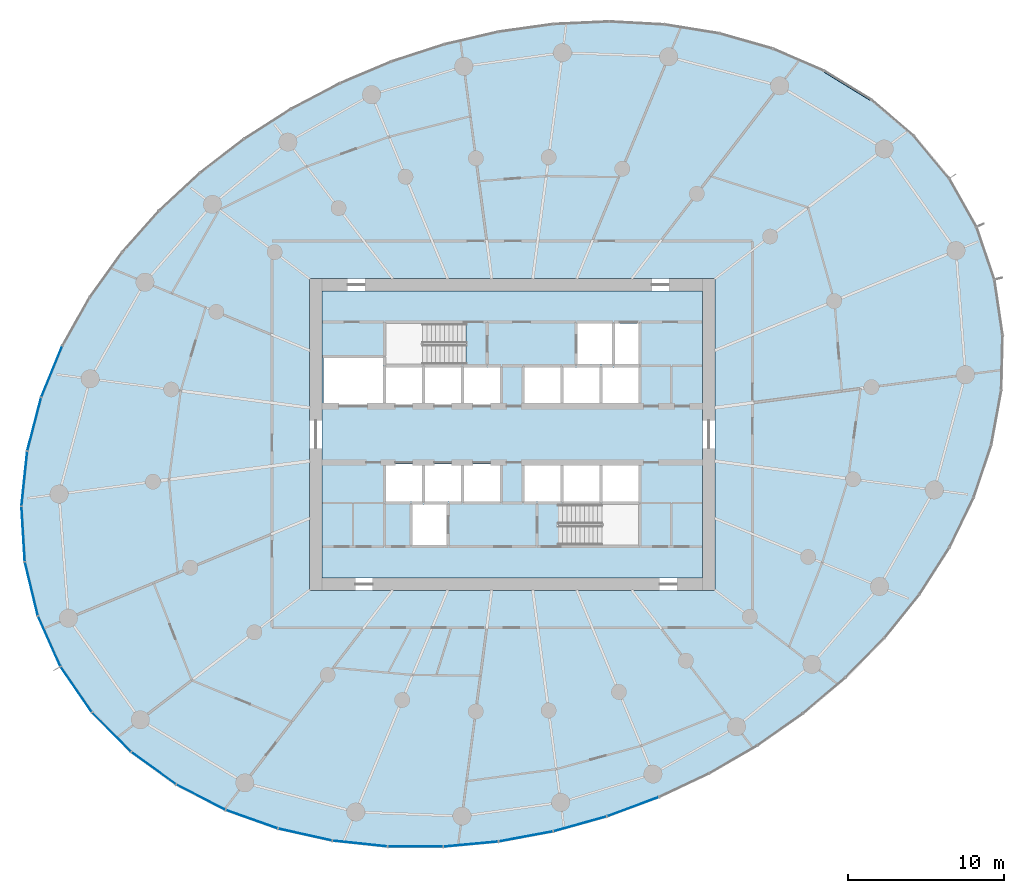
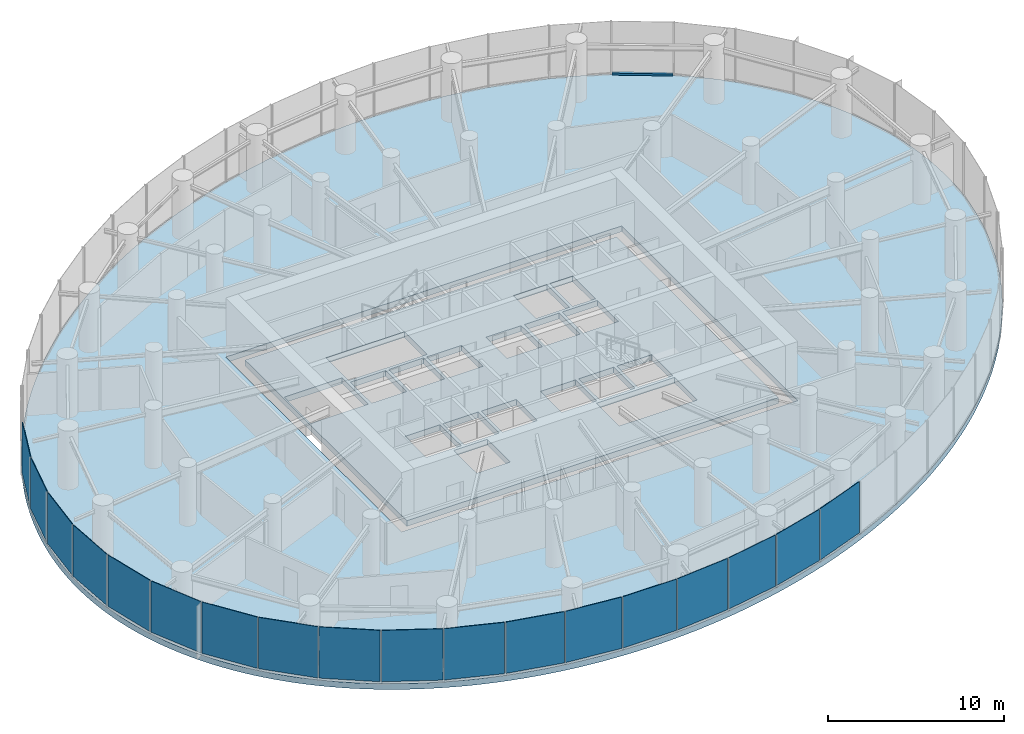
# One storey, part 8 of 17: 18 plates, 2 slabs, 1 member, 5 elements without a shape of their own.
"""IFC4 building model written with IfcOpenShell, lengths in metres."""

from ifc_helpers import new_model, si_unit, direction, frame, origin, origin_2d, place, context, subcontext, project, spatial, line, indexed_curve, rectangle, outline, extrude, source, transform, mapped, material, layer, layer_set, material_profile, profile_set, type_object, element, aggregate, save


model = new_model("IFC4")

# Units and contexts
model_context = context("Model", 3, precision=1e-05, world=origin(), true_north=direction((0.0, 1.0)))
body_context = subcontext(model_context, "Body", "Model", "MODEL_VIEW")
ifc_project = project(units=[si_unit("LENGTHUNIT", "METRE"), si_unit("AREAUNIT", "SQUARE_METRE"), si_unit("VOLUMEUNIT", "CUBIC_METRE"), si_unit("PLANEANGLEUNIT", "RADIAN"), si_unit("MASSUNIT", "GRAM", prefix="KILO")], contexts=[model_context])

# Site, building, storey
site_placement = place(None, origin())
site = spatial("IfcSite", under=ifc_project, at=site_placement, CompositionType="ELEMENT")
building_placement = place(site_placement, origin())
building = spatial("IfcBuilding", under=site, at=building_placement, Name="Spindrift Exchange Tower", CompositionType="ELEMENT")
storey_placement = place(building_placement, frame((0.0, 0.0, 92.10009765625)))
storey = spatial("IfcBuildingStorey", under=building, at=storey_placement, Name="L21", CompositionType="ELEMENT", Elevation=92.10009765625)

# Curtain wall, member
ifc_material_1 = material(Name="Fritted laminated glass with bronze frame", Category="glass")
ifc_layer_1 = layer(ifc_material_1, 0.18994140625)
ifc_layer_set_1 = layer_set([ifc_layer_1], Name="ZONE 2 BRONZE FRITTED WALL")
curtain_wall_type = type_object("IfcCurtainWallType", Name="ZONE 2 BRONZE FRITTED WALL", PredefinedType="NOTDEFINED", material=ifc_layer_set_1)
curtain_wall_1_placement = place(storey_placement, origin())
curtain_wall_1 = element("IfcCurtainWall", 1, at=curtain_wall_1_placement, inside=storey, type_object=curtain_wall_type, Name="L21 Zone 2 Bronze Fritted Wall run 1", PredefinedType="NOTDEFINED")
ifc_material_2 = material(Name="Bronze anodised aluminium", Category="aluminium")
ifc_material_profile = material_profile(ifc_material_2, rectangle(XDim=0.169921875, YDim=0.139892578125, at=origin_2d()), Name="ZONE 2 BRONZE FRITTED WALL TRANSOM 170X140")
ifc_profile_set = profile_set([ifc_material_profile], Name="Bronze anodised aluminium")
member_type = type_object("IfcMemberType", Name="ZONE 2 BRONZE FRITTED WALL TRANSOM 170X140", PredefinedType="USERDEFINED", material=ifc_profile_set)
shared_shape_1 = source(origin(), body_context, "Body", "SweptSolid", [
    extrude(rectangle(XDim=0.169921875, YDim=0.139892578125, at=origin_2d()), origin(), (0.0, 0.0, 1.0), 3.4892578125),
])
member_placement = place(storey_placement, frame((74.99951171875, 69.476318359375, 0.06982421875), z_axis=(-0.852577116823, 0.522601435006, 0.0), x_axis=(-0.522601435006, -0.852577116823, 0.0)))
member = element("IfcMember", 2, at=member_placement, type_object=member_type, Name="L21 transom CW-2.4", ObjectType="TRANSOM", PredefinedType="USERDEFINED", context=body_context, shape_type="MappedRepresentation", body=[
    mapped(shared_shape_1, transform((0.0, 0.0, 0.0), scale=1.0)),
])
aggregate(curtain_wall_1, [member])

# Slabs
ifc_material_3 = material(Name="Concrete 50 MPa", Category="concrete")
ifc_layer_2 = layer(ifc_material_3, 0.39990234375)
ifc_layer_set_2 = layer_set([ifc_layer_2], Name="RC Floor Slab 400 Concrete 50 MPa")
slab_type_1 = type_object("IfcSlabType", Name="RC Floor Slab 400 Concrete 50 MPa", PredefinedType="FLOOR", material=ifc_layer_set_2)
slab_1_placement = place(storey_placement, frame((0.0, 0.0, -0.400146484375)))
element("IfcSlab", 3, at=slab_1_placement, inside=storey, type_object=slab_type_1, Name="Floor slab L21", PredefinedType="FLOOR", context=body_context, shape_type="SweptSolid", body=[
    extrude(outline(indexed_curve([(81.76318359375, 61.294677734375), (81.551025390625, 61.75341796875), (81.326904296875, 62.20654296875), (81.091064453125, 62.653564453125), (80.843505859375, 63.09423828125), (80.584716796875, 63.5283203125), (80.314697265625, 63.95556640625), (80.03369140625, 64.37548828125), (79.7421875, 64.788330078125), (79.440185546875, 65.193603515625), (79.127685546875, 65.591064453125), (78.8056640625, 65.98046875), (78.473876953125, 66.36181640625), (78.1328125, 66.734619140625), (77.78271484375, 67.09912109375), (77.423828125, 67.455078125), (77.056396484375, 67.80224609375), (76.680908203125, 68.140625), (76.297607421875, 68.469970703125), (75.90673828125, 68.79052734375), (75.5087890625, 69.101806640625), (75.103759765625, 69.404296875), (74.692138671875, 69.697509765625), (74.27392578125, 69.9814453125), (73.849853515625, 70.25634765625), (73.419921875, 70.522216796875), (72.984619140625, 70.77880859375), (72.5439453125, 71.0263671875), (72.09814453125, 71.2646484375), (71.647705078125, 71.493896484375), (71.19287109375, 71.714111328125), (70.2705078125, 72.127685546875), (69.3330078125, 72.505615234375), (68.859130859375, 72.681396484375), (68.382080078125, 72.848388671875), (67.41943359375, 73.156494140625), (66.93408203125, 73.2978515625), (65.956787109375, 73.555419921875), (64.97119140625, 73.779541015625), (64.4755859375, 73.87939453125), (63.978515625, 73.971435546875), (62.98046875, 74.13134765625), (62.479736328125, 74.19970703125), (61.475341796875, 74.31298828125), (60.971923828125, 74.358154296875), (59.96337890625, 74.42626953125), (58.953369140625, 74.46484375), (58.447998046875, 74.47314453125), (57.43701171875, 74.46875), (56.931884765625, 74.4560546875), (56.4267578125, 74.436279296875), (55.417724609375, 74.376220703125), (54.913818359375, 74.336181640625), (53.908203125, 74.23583984375), (53.40625, 74.17578125), (52.405029296875, 74.036376953125), (51.906005859375, 73.95703125), (50.910888671875, 73.779296875), (49.92041015625, 73.576416015625), (49.42724609375, 73.4658203125), (48.935546875, 73.34912109375), (47.95654296875, 73.09765625), (47.469482421875, 72.962890625), (46.500244140625, 72.67578125), (46.018310546875, 72.523193359375), (45.060302734375, 72.201171875), (44.583984375, 72.031494140625), (43.63818359375, 71.675048828125), (42.701171875, 71.2958984375), (41.773193359375, 70.894775390625), (40.855224609375, 70.471435546875), (39.94775390625, 70.026611328125), (39.051025390625, 69.559814453125), (38.60693359375, 69.318603515625), (37.7275390625, 68.820068359375), (37.29248046875, 68.562744140625), (36.431884765625, 68.03271484375), (36.006591796875, 67.759765625), (35.58447265625, 67.481689453125), (34.750732421875, 66.91015625), (33.931396484375, 66.318115234375), (33.52734375, 66.014404296875), (33.127197265625, 65.70556640625), (32.338623046875, 65.072998046875), (31.95068359375, 64.749267578125), (31.18701171875, 64.0869140625), (30.81201171875, 63.748291015625), (30.0751953125, 63.05615234375), (29.35693359375, 62.3447265625), (29.00537109375, 61.981689453125), (28.317138671875, 61.241455078125), (27.980712890625, 60.864013671875), (27.64990234375, 60.482177734375), (27.004638671875, 59.7041015625), (26.382080078125, 58.907470703125), (26.080078125, 58.50244140625), (25.494140625, 57.6787109375), (25.210693359375, 57.26025390625), (24.663818359375, 56.41015625), (24.400390625, 55.978759765625), (23.895263671875, 55.103271484375), (23.653564453125, 54.6591796875), (23.193115234375, 53.759521484375), (22.974609375, 53.3037109375), (22.5615234375, 52.381103515625), (22.36767578125, 51.914306640625), (22.182373046875, 51.444091796875), (21.838134765625, 50.49365234375), (21.530517578125, 49.531005859375), (21.26123046875, 48.556640625), (21.141357421875, 48.065673828125), (21.031494140625, 47.572265625), (20.93212890625, 47.07666015625), (20.843017578125, 46.5791015625), (20.764892578125, 46.079833984375), (20.697509765625, 45.5791015625), (20.64111328125, 45.07666015625), (20.595947265625, 44.5732421875), (20.562255859375, 44.069091796875), (20.5400390625, 43.564208984375), (20.52978515625, 43.058837890625), (20.531005859375, 42.553466796875), (20.544677734375, 42.048095703125), (20.570068359375, 41.54345703125), (20.60791015625, 41.039306640625), (20.658203125, 40.536376953125), (20.720703125, 40.034912109375), (20.795654296875, 39.53515625), (20.88330078125, 39.037353515625), (20.9833984375, 38.5419921875), (21.09619140625, 38.04931640625), (21.2216796875, 37.559814453125), (21.359619140625, 37.073486328125), (21.51025390625, 36.591064453125), (21.67333984375, 36.112548828125), (21.848876953125, 35.638671875), (22.03662109375, 35.16943359375), (22.23681640625, 34.705322265625), (22.448974609375, 34.24658203125), (22.673095703125, 33.79345703125), (22.908935546875, 33.346435546875), (23.156494140625, 32.90576171875), (23.415283203125, 32.4716796875), (23.685302734375, 32.04443359375), (23.96630859375, 31.62451171875), (24.2578125, 31.211669921875), (24.559814453125, 30.806396484375), (24.872314453125, 30.408935546875), (25.1943359375, 30.01953125), (25.526123046875, 29.63818359375), (25.8671875, 29.265380859375), (26.21728515625, 28.90087890625), (26.576171875, 28.544921875), (26.943603515625, 28.19775390625), (27.319091796875, 27.859375), (27.702392578125, 27.530029296875), (28.09326171875, 27.20947265625), (28.4912109375, 26.898193359375), (28.896240234375, 26.595703125), (29.307861328125, 26.302490234375), (29.72607421875, 26.0185546875), (30.150146484375, 25.74365234375), (30.580078125, 25.477783203125), (31.015380859375, 25.22119140625), (31.4560546875, 24.9736328125), (31.90185546875, 24.7353515625), (32.352294921875, 24.506103515625), (32.80712890625, 24.285888671875), (33.7294921875, 23.872314453125), (34.6669921875, 23.494384765625), (35.140869140625, 23.318603515625), (35.617919921875, 23.151611328125), (36.58056640625, 22.843505859375), (37.06591796875, 22.7021484375), (38.043212890625, 22.444580078125), (39.02880859375, 22.220458984375), (39.5244140625, 22.12060546875), (40.021484375, 22.028564453125), (41.01953125, 21.86865234375), (41.520263671875, 21.80029296875), (42.524658203125, 21.68701171875), (43.028076171875, 21.641845703125), (44.03662109375, 21.57373046875), (45.046630859375, 21.53515625), (45.552001953125, 21.52685546875), (46.56298828125, 21.53125), (47.068115234375, 21.5439453125), (47.5732421875, 21.563720703125), (48.582275390625, 21.623779296875), (49.086181640625, 21.663818359375), (50.091796875, 21.76416015625), (50.59375, 21.82421875), (51.594970703125, 21.963623046875), (52.093994140625, 22.04296875), (53.089111328125, 22.220703125), (54.07958984375, 22.423583984375), (54.57275390625, 22.5341796875), (55.064453125, 22.65087890625), (56.04345703125, 22.90234375), (56.530517578125, 23.037109375), (57.499755859375, 23.32421875), (58.461669921875, 23.635009765625), (58.939697265625, 23.798828125), (59.416015625, 23.968505859375), (60.36181640625, 24.324951171875), (61.298828125, 24.7041015625), (62.226806640625, 25.105224609375), (63.144775390625, 25.528564453125), (64.05224609375, 25.973388671875), (64.948974609375, 26.440185546875), (65.39306640625, 26.681396484375), (66.2724609375, 27.179931640625), (66.70751953125, 27.437255859375), (67.568115234375, 27.96728515625), (67.993408203125, 28.240234375), (68.41552734375, 28.518310546875), (69.249267578125, 29.08984375), (70.068603515625, 29.681884765625), (70.47265625, 29.985595703125), (70.872802734375, 30.29443359375), (71.661376953125, 30.927001953125), (72.04931640625, 31.250732421875), (72.81298828125, 31.9130859375), (73.18798828125, 32.251708984375), (73.9248046875, 32.94384765625), (74.64306640625, 33.6552734375), (74.99462890625, 34.018310546875), (75.682861328125, 34.758544921875), (76.019287109375, 35.135986328125), (76.35009765625, 35.517822265625), (76.995361328125, 36.2958984375), (77.617919921875, 37.092529296875), (77.919921875, 37.49755859375), (78.505859375, 38.3212890625), (78.789306640625, 38.73974609375), (79.336181640625, 39.58984375), (79.599609375, 40.021240234375), (80.104736328125, 40.896728515625), (80.346435546875, 41.3408203125), (80.806884765625, 42.240478515625), (81.025390625, 42.6962890625), (81.4384765625, 43.618896484375), (81.63232421875, 44.085693359375), (81.817626953125, 44.555908203125), (82.161865234375, 45.50634765625), (82.469482421875, 46.468994140625), (82.73876953125, 47.443359375), (82.858642578125, 47.934326171875), (82.968505859375, 48.427734375), (83.06787109375, 48.92333984375), (83.156982421875, 49.4208984375), (83.235107421875, 49.920166015625), (83.302490234375, 50.4208984375), (83.35888671875, 50.92333984375), (83.404052734375, 51.4267578125), (83.437744140625, 51.930908203125), (83.4599609375, 52.435791015625), (83.47021484375, 52.941162109375), (83.468994140625, 53.446533203125), (83.455322265625, 53.951904296875), (83.429931640625, 54.45654296875), (83.39208984375, 54.960693359375), (83.341796875, 55.463623046875), (83.279296875, 55.965087890625), (83.204345703125, 56.46484375), (83.11669921875, 56.962646484375), (83.0166015625, 57.4580078125), (82.90380859375, 57.95068359375), (82.7783203125, 58.440185546875), (82.640380859375, 58.926513671875), (82.48974609375, 59.408935546875), (82.32666015625, 59.887451171875), (82.151123046875, 60.361328125), (81.96337890625, 60.83056640625)], segments=[line(1, 2, 3, 4, 5, 6, 7, 8, 9, 10, 11, 12, 13, 14, 15, 16, 17, 18, 19, 20, 21, 22, 23, 24, 25, 26, 27, 28, 29, 30, 31, 32, 33, 34, 35, 36, 37, 38, 39, 40, 41, 42, 43, 44, 45, 46, 47, 48, 49, 50, 51, 52, 53, 54, 55, 56, 57, 58, 59, 60, 61, 62, 63, 64, 65, 66, 67, 68, 69, 70, 71, 72, 73, 74, 75, 76, 77, 78, 79, 80, 81, 82, 83, 84, 85, 86, 87, 88, 89, 90, 91, 92, 93, 94, 95, 96, 97, 98, 99, 100, 101, 102, 103, 104, 105, 106, 107, 108, 109, 110, 111, 112, 113, 114, 115, 116, 117, 118, 119, 120, 121, 122, 123, 124, 125, 126, 127, 128, 129, 130, 131, 132, 133, 134, 135, 136, 137, 138, 139, 140, 141, 142, 143, 144, 145, 146, 147, 148, 149, 150, 151, 152, 153, 154, 155, 156, 157, 158, 159, 160, 161, 162, 163, 164, 165, 166, 167, 168, 169, 170, 171, 172, 173, 174, 175, 176, 177, 178, 179, 180, 181, 182, 183, 184, 185, 186, 187, 188, 189, 190, 191, 192, 193, 194, 195, 196, 197, 198, 199, 200, 201, 202, 203, 204, 205, 206, 207, 208, 209, 210, 211, 212, 213, 214, 215, 216, 217, 218, 219, 220, 221, 222, 223, 224, 225, 226, 227, 228, 229, 230, 231, 232, 233, 234, 235, 236, 237, 238, 239, 240, 241, 242, 243, 244, 245, 246, 247, 248, 249, 250, 251, 252, 253, 254, 255, 256, 257, 258, 259, 260, 261, 262, 263, 264, 265, 266, 267, 268, 269, 270, 271, 272, 273, 274, 1)], self_intersect=False), holes=[indexed_curve([(39.0, 38.0), (65.0, 38.0), (65.0, 58.0), (39.0, 58.0)], segments=[line(1, 2, 3, 4, 1)], self_intersect=False)]), origin(), (0.0, 0.0, 1.0), 0.400146484375),
])
ifc_layer_3 = layer(ifc_material_3, 0.39990234375)
ifc_layer_set_3 = layer_set([ifc_layer_3], Name="SL-CORE-FLOOR-400")
slab_type_2 = type_object("IfcSlabType", Name="SL-CORE-FLOOR-400", PredefinedType="FLOOR", material=ifc_layer_set_3)
slab_2_placement = place(storey_placement, frame((0.0, 0.0, -0.400146484375)))
element("IfcSlab", 4, at=slab_2_placement, inside=storey, type_object=slab_type_2, Name="L21 Core floor slab", PredefinedType="FLOOR", context=body_context, shape_type="SweptSolid", body=[
    extrude(outline(indexed_curve([(39.800048828125, 38.800048828125), (39.800048828125, 57.199951171875), (64.199951171875, 57.199951171875), (64.199951171875, 38.800048828125)], segments=[line(1, 2, 3, 4, 1)], self_intersect=False), holes=[indexed_curve([(47.800048828125, 43.5), (45.60009765625, 43.5), (45.60009765625, 40.89990234375), (47.800048828125, 40.89990234375)], segments=[line(1, 2, 3, 4, 1)], self_intersect=False), indexed_curve([(46.199951171875, 46.10009765625), (43.89990234375, 46.10009765625), (43.89990234375, 43.699951171875), (46.199951171875, 43.699951171875)], segments=[line(1, 2, 3, 4, 1)], self_intersect=False), indexed_curve([(48.699951171875, 46.10009765625), (46.39990234375, 46.10009765625), (46.39990234375, 43.699951171875), (48.699951171875, 43.699951171875)], segments=[line(1, 2, 3, 4, 1)], self_intersect=False), indexed_curve([(51.199951171875, 46.10009765625), (48.89990234375, 46.10009765625), (48.89990234375, 43.699951171875), (51.199951171875, 43.699951171875)], segments=[line(1, 2, 3, 4, 1)], self_intersect=False), indexed_curve([(46.199951171875, 52.300048828125), (43.89990234375, 52.300048828125), (43.89990234375, 49.89990234375), (46.199951171875, 49.89990234375)], segments=[line(1, 2, 3, 4, 1)], self_intersect=False), indexed_curve([(48.699951171875, 52.300048828125), (46.39990234375, 52.300048828125), (46.39990234375, 49.89990234375), (48.699951171875, 49.89990234375)], segments=[line(1, 2, 3, 4, 1)], self_intersect=False), indexed_curve([(51.199951171875, 52.300048828125), (48.89990234375, 52.300048828125), (48.89990234375, 49.89990234375), (51.199951171875, 49.89990234375)], segments=[line(1, 2, 3, 4, 1)], self_intersect=False), indexed_curve([(43.699951171875, 49.89990234375), (43.699951171875, 52.89990234375), (39.89990234375, 52.89990234375), (39.89990234375, 49.89990234375)], segments=[line(1, 2, 3, 4, 1)], self_intersect=False), indexed_curve([(49.0439453125, 55.093994140625), (43.906005859375, 55.093994140625), (43.906005859375, 52.506103515625), (49.0439453125, 52.506103515625)], segments=[line(1, 2, 3, 4, 1)], self_intersect=False), indexed_curve([(60.093994140625, 40.906005859375), (60.093994140625, 43.493896484375), (54.9560546875, 43.493896484375), (54.9560546875, 40.906005859375)], segments=[line(1, 2, 3, 4, 1)], self_intersect=False), indexed_curve([(55.10009765625, 46.10009765625), (52.800048828125, 46.10009765625), (52.800048828125, 43.699951171875), (55.10009765625, 43.699951171875)], segments=[line(1, 2, 3, 4, 1)], self_intersect=False), indexed_curve([(57.60009765625, 46.10009765625), (55.300048828125, 46.10009765625), (55.300048828125, 43.699951171875), (57.60009765625, 43.699951171875)], segments=[line(1, 2, 3, 4, 1)], self_intersect=False), indexed_curve([(60.10009765625, 46.10009765625), (57.800048828125, 46.10009765625), (57.800048828125, 43.699951171875), (60.10009765625, 43.699951171875)], segments=[line(1, 2, 3, 4, 1)], self_intersect=False), indexed_curve([(55.10009765625, 52.300048828125), (52.800048828125, 52.300048828125), (52.800048828125, 49.89990234375), (55.10009765625, 49.89990234375)], segments=[line(1, 2, 3, 4, 1)], self_intersect=False), indexed_curve([(57.60009765625, 52.300048828125), (55.300048828125, 52.300048828125), (55.300048828125, 49.89990234375), (57.60009765625, 49.89990234375)], segments=[line(1, 2, 3, 4, 1)], self_intersect=False), indexed_curve([(60.10009765625, 52.300048828125), (57.800048828125, 52.300048828125), (57.800048828125, 49.89990234375), (60.10009765625, 49.89990234375)], segments=[line(1, 2, 3, 4, 1)], self_intersect=False), indexed_curve([(58.39990234375, 52.5), (58.39990234375, 55.10009765625), (56.199951171875, 55.10009765625), (56.199951171875, 52.5)], segments=[line(1, 2, 3, 4, 1)], self_intersect=False), indexed_curve([(60.10009765625, 52.5), (60.10009765625, 55.10009765625), (58.60009765625, 55.10009765625), (58.60009765625, 52.5)], segments=[line(1, 2, 3, 4, 1)], self_intersect=False)]), origin(), (0.0, 0.0, 1.0), 0.400146484375),
])

# Curtain wall, plate
curtain_wall_2_placement = place(storey_placement, origin())
curtain_wall_2 = element("IfcCurtainWall", 5, at=curtain_wall_2_placement, inside=storey, type_object=curtain_wall_type, Name="L21 Zone 2 Bronze Fritted Wall run 6", PredefinedType="NOTDEFINED")
ifc_material_4 = material(Name="Bronze fritted laminated glass, close frit", Category="glass")
ifc_layer_4 = layer(ifc_material_4, 0.033935546875)
ifc_layer_set_4 = layer_set([ifc_layer_4], Name="ZONE 2 BRONZE FRITTED WALL PANEL CLOSE FRIT 300")
plate_type_1 = type_object("IfcPlateType", Name="ZONE 2 BRONZE FRITTED WALL PANEL CLOSE FRIT 300", PredefinedType="CURTAIN_PANEL", material=ifc_layer_set_4)
shared_shape_2 = source(origin(), body_context, "Body", "SweptSolid", [
    extrude(rectangle(XDim=3.491455078125, YDim=0.033935546875, at=origin_2d()), origin(), (0.0, 0.0, 1.0), 3.56005859375),
])
plate_1_placement = place(storey_placement, frame((52.87744140625, 22.22119140625, 0.139892578125), z_axis=(0.0, 0.0, 1.0), x_axis=(0.983111476871, 0.183007715805, 0.0)))
plate_1 = element("IfcPlate", 6, at=plate_1_placement, type_object=plate_type_1, Name="L21 panel CW-2.36", PredefinedType="CURTAIN_PANEL", context=body_context, shape_type="MappedRepresentation", body=[
    mapped(shared_shape_2, transform((0.0, 0.0, 0.0), scale=1.0)),
])

# Curtain wall, plates
curtain_wall_3_placement = place(storey_placement, origin())
curtain_wall_3 = element("IfcCurtainWall", 7, at=curtain_wall_3_placement, inside=storey, type_object=curtain_wall_type, Name="L21 Zone 2 Bronze Fritted Wall run 7", PredefinedType="NOTDEFINED")
ifc_layer_5 = layer(ifc_material_4, 0.033935546875)
ifc_layer_set_5 = layer_set([ifc_layer_5], Name="ZONE 2 BRONZE FRITTED WALL PANEL CLOSE FRIT 420")
plate_type_2 = type_object("IfcPlateType", Name="ZONE 2 BRONZE FRITTED WALL PANEL CLOSE FRIT 420", PredefinedType="CURTAIN_PANEL", material=ifc_layer_set_5)
shared_shape_3 = source(origin(), body_context, "Body", "SweptSolid", [
    extrude(rectangle(XDim=3.49169921875, YDim=0.033935546875, at=origin_2d()), origin(), (0.0, 0.0, 1.0), 3.56005859375),
])
plate_2_placement = place(storey_placement, frame((56.3486328125, 23.02587890625, 0.139892578125), z_axis=(0.0, 0.0, 1.0), x_axis=(0.96335241438, 0.268238933989, 0.0)))
plate_2 = element("IfcPlate", 8, at=plate_2_placement, type_object=plate_type_2, Name="L21 panel CW-2.37", PredefinedType="CURTAIN_PANEL", context=body_context, shape_type="MappedRepresentation", body=[
    mapped(shared_shape_3, transform((0.0, 0.0, 0.0), scale=1.0)),
])
shared_shape_4 = source(origin(), body_context, "Body", "SweptSolid", [
    extrude(rectangle(XDim=3.49169921875, YDim=0.033935546875, at=origin_2d()), origin(), (0.0, 0.0, 1.0), 3.56005859375),
])
plate_3_placement = place(storey_placement, frame((59.737548828125, 24.127197265625, 0.139892578125), z_axis=(0.0, 0.0, 1.0), x_axis=(0.937004884269, 0.349316256214, 0.0)))
plate_3 = element("IfcPlate", 9, at=plate_3_placement, type_object=plate_type_1, Name="L21 panel CW-2.38", PredefinedType="CURTAIN_PANEL", context=body_context, shape_type="MappedRepresentation", body=[
    mapped(shared_shape_4, transform((0.0, 0.0, 0.0), scale=1.0)),
])
aggregate(curtain_wall_3, [plate_2, plate_3])

# Plate
ifc_layer_6 = layer(ifc_material_4, 0.033935546875)
ifc_layer_set_6 = layer_set([ifc_layer_6], Name="ZONE 2 BRONZE FRITTED WALL PANEL CLOSE FRIT 540")
plate_type_3 = type_object("IfcPlateType", Name="ZONE 2 BRONZE FRITTED WALL PANEL CLOSE FRIT 540", PredefinedType="CURTAIN_PANEL", material=ifc_layer_set_6)
shared_shape_5 = source(origin(), body_context, "Body", "SweptSolid", [
    extrude(rectangle(XDim=3.4912109375, YDim=0.033935546875, at=origin_2d()), origin(), (0.0, 0.0, 1.0), 3.56005859375),
])
plate_4_placement = place(storey_placement, frame((45.7900390625, 21.569580078125, 0.139892578125), z_axis=(0.0, 0.0, 1.0), x_axis=(0.999994616806, -0.003281213106, 0.0)))
plate_4 = element("IfcPlate", 10, at=plate_4_placement, type_object=plate_type_3, Name="L21 panel CW-2.34", PredefinedType="CURTAIN_PANEL", context=body_context, shape_type="MappedRepresentation", body=[
    mapped(shared_shape_5, transform((0.0, 0.0, 0.0), scale=1.0)),
])

# Curtain wall, plates
curtain_wall_4_placement = place(storey_placement, origin())
curtain_wall_4 = element("IfcCurtainWall", 11, at=curtain_wall_4_placement, inside=storey, type_object=curtain_wall_type, Name="L21 Zone 2 Bronze Fritted Wall run 4", PredefinedType="NOTDEFINED")
shared_shape_6 = source(origin(), body_context, "Body", "SweptSolid", [
    extrude(rectangle(XDim=3.489013671875, YDim=0.033935546875, at=origin_2d()), origin(), (0.0, 0.0, 1.0), 3.56005859375),
])
plate_5_placement = place(storey_placement, frame((20.719970703125, 45.158203125, 0.139892578125), z_axis=(0.0, 0.0, 1.0), x_axis=(-0.103731712228, -0.994605314624, 0.0)))
plate_5 = element("IfcPlate", 12, at=plate_5_placement, type_object=plate_type_1, Name="L21 panel CW-2.23", PredefinedType="CURTAIN_PANEL", context=body_context, shape_type="MappedRepresentation", body=[
    mapped(shared_shape_6, transform((0.0, 0.0, 0.0), scale=1.0)),
])
shared_shape_7 = source(origin(), body_context, "Body", "SweptSolid", [
    extrude(rectangle(XDim=3.48828125, YDim=0.033935546875, at=origin_2d()), origin(), (0.0, 0.0, 1.0), 3.56005859375),
])
plate_6_placement = place(storey_placement, frame((20.642578125, 41.607421875, 0.139892578125), z_axis=(0.0, 0.0, 1.0), x_axis=(0.060308141417, -0.998179807489, 0.0)))
plate_6 = element("IfcPlate", 13, at=plate_6_placement, type_object=plate_type_1, Name="L21 panel CW-2.24", PredefinedType="CURTAIN_PANEL", context=body_context, shape_type="MappedRepresentation", body=[
    mapped(shared_shape_7, transform((0.0, 0.0, 0.0), scale=1.0)),
])

curtain_wall_5_placement = place(storey_placement, origin())
curtain_wall_5 = element("IfcCurtainWall", 14, at=curtain_wall_5_placement, inside=storey, type_object=curtain_wall_type, Name="L21 Zone 2 Bronze Fritted Wall run 5", PredefinedType="NOTDEFINED")
plate_7_placement = place(storey_placement, frame((26.313232421875, 28.912109375, 0.139892578125), z_axis=(0.0, 0.0, 1.0), x_axis=(0.703167640959, -0.711024098543, 0.0)))
plate_7 = element("IfcPlate", 15, at=plate_7_placement, type_object=plate_type_1, Name="L21 panel CW-2.28", PredefinedType="CURTAIN_PANEL", context=body_context, shape_type="MappedRepresentation", body=[
    mapped(shared_shape_7, transform((0.0, 0.0, 0.0), scale=1.0)),
])
shared_shape_8 = source(origin(), body_context, "Body", "SweptSolid", [
    extrude(rectangle(XDim=3.48779296875, YDim=0.033935546875, at=origin_2d()), origin(), (0.0, 0.0, 1.0), 3.56005859375),
])
plate_8_placement = place(storey_placement, frame((24.049560546875, 31.6455078125, 0.139892578125), z_axis=(0.0, 0.0, 1.0), x_axis=(0.567523330444, -0.823357315752, 0.0)))
plate_8 = element("IfcPlate", 16, at=plate_8_placement, type_object=plate_type_2, Name="L21 panel CW-2.27", PredefinedType="CURTAIN_PANEL", context=body_context, shape_type="MappedRepresentation", body=[
    mapped(shared_shape_8, transform((0.0, 0.0, 0.0), scale=1.0)),
])
shared_shape_9 = source(origin(), body_context, "Body", "SweptSolid", [
    extrude(rectangle(XDim=3.48779296875, YDim=0.033935546875, at=origin_2d()), origin(), (0.0, 0.0, 1.0), 3.56005859375),
])
plate_9_placement = place(storey_placement, frame((21.167724609375, 38.09716796875, 0.139892578125), z_axis=(0.0, 0.0, 1.0), x_axis=(0.234497432487, -0.972116738955, 0.0)))
plate_9 = element("IfcPlate", 17, at=plate_9_placement, type_object=plate_type_3, Name="L21 panel CW-2.25", PredefinedType="CURTAIN_PANEL", context=body_context, shape_type="MappedRepresentation", body=[
    mapped(shared_shape_9, transform((0.0, 0.0, 0.0), scale=1.0)),
])
shared_shape_10 = source(origin(), body_context, "Body", "SweptSolid", [
    extrude(rectangle(XDim=3.48779296875, YDim=0.033935546875, at=origin_2d()), origin(), (0.0, 0.0, 1.0), 3.56005859375),
])
plate_10_placement = place(storey_placement, frame((22.31201171875, 34.73876953125, 0.139892578125), z_axis=(0.0, 0.0, 1.0), x_axis=(0.407841290558, -0.913052836213, 0.0)))
plate_10 = element("IfcPlate", 18, at=plate_10_placement, type_object=plate_type_1, Name="L21 panel CW-2.26", PredefinedType="CURTAIN_PANEL", context=body_context, shape_type="MappedRepresentation", body=[
    mapped(shared_shape_10, transform((0.0, 0.0, 0.0), scale=1.0)),
])

# Plate
shared_shape_11 = source(origin(), body_context, "Body", "SweptSolid", [
    extrude(rectangle(XDim=3.4912109375, YDim=0.033935546875, at=origin_2d()), origin(), (0.0, 0.0, 1.0), 3.56005859375),
])
plate_11_placement = place(storey_placement, frame((42.23388671875, 21.7646484375, 0.139892578125), z_axis=(0.0, 0.0, 1.0), x_axis=(0.994345360342, -0.106194653193, 0.0)))
plate_11 = element("IfcPlate", 19, at=plate_11_placement, type_object=plate_type_2, Name="L21 panel CW-2.33", PredefinedType="CURTAIN_PANEL", context=body_context, shape_type="MappedRepresentation", body=[
    mapped(shared_shape_11, transform((0.0, 0.0, 0.0), scale=1.0)),
])

shared_shape_12 = source(origin(), body_context, "Body", "SweptSolid", [
    extrude(rectangle(XDim=3.491455078125, YDim=0.033935546875, at=origin_2d()), origin(), (0.0, 0.0, 1.0), 3.56005859375),
])
plate_12_placement = place(storey_placement, frame((49.3486328125, 21.729248046875, 0.139892578125), z_axis=(0.0, 0.0, 1.0), x_axis=(0.99568138308, 0.092836325799, 0.0)))
plate_12 = element("IfcPlate", 20, at=plate_12_placement, type_object=plate_type_3, Name="L21 panel CW-2.35", PredefinedType="CURTAIN_PANEL", context=body_context, shape_type="MappedRepresentation", body=[
    mapped(shared_shape_12, transform((0.0, 0.0, 0.0), scale=1.0)),
])

shared_shape_13 = source(origin(), body_context, "Body", "SweptSolid", [
    extrude(rectangle(XDim=3.489013671875, YDim=0.033935546875, at=origin_2d()), origin(), (0.0, 0.0, 1.0), 3.56005859375),
])
plate_13_placement = place(storey_placement, frame((29.009521484375, 26.60009765625, 0.139892578125), z_axis=(0.0, 0.0, 1.0), x_axis=(0.809974089825, -0.586465662944, 0.0)))
plate_13 = element("IfcPlate", 21, at=plate_13_placement, type_object=plate_type_3, Name="L21 panel CW-2.29", PredefinedType="CURTAIN_PANEL", context=body_context, shape_type="MappedRepresentation", body=[
    mapped(shared_shape_13, transform((0.0, 0.0, 0.0), scale=1.0)),
])

shared_shape_14 = source(origin(), body_context, "Body", "SweptSolid", [
    extrude(rectangle(XDim=3.490234375, YDim=0.033935546875, at=origin_2d()), origin(), (0.0, 0.0, 1.0), 3.56005859375),
])
plate_14_placement = place(storey_placement, frame((35.300048828125, 23.32275390625, 0.139892578125), z_axis=(0.0, 0.0, 1.0), x_axis=(0.942373773921, -0.334561907913, 0.0)))
plate_14 = element("IfcPlate", 22, at=plate_14_placement, type_object=plate_type_3, Name="L21 panel CW-2.31", PredefinedType="CURTAIN_PANEL", context=body_context, shape_type="MappedRepresentation", body=[
    mapped(shared_shape_14, transform((0.0, 0.0, 0.0), scale=1.0)),
])

shared_shape_15 = source(origin(), body_context, "Body", "SweptSolid", [
    extrude(rectangle(XDim=3.49072265625, YDim=0.033935546875, at=origin_2d()), origin(), (0.0, 0.0, 1.0), 3.56005859375),
])
plate_15_placement = place(storey_placement, frame((38.720703125, 22.34033203125, 0.139892578125), z_axis=(0.0, 0.0, 1.0), x_axis=(0.976262752867, -0.216589559687, 0.0)))
plate_15 = element("IfcPlate", 23, at=plate_15_placement, type_object=plate_type_1, Name="L21 panel CW-2.32", PredefinedType="CURTAIN_PANEL", context=body_context, shape_type="MappedRepresentation", body=[
    mapped(shared_shape_15, transform((0.0, 0.0, 0.0), scale=1.0)),
])

aggregate(curtain_wall_2, [plate_14, plate_15, plate_11, plate_4, plate_12, plate_1])

shared_shape_16 = source(origin(), body_context, "Body", "SweptSolid", [
    extrude(rectangle(XDim=3.490234375, YDim=0.033935546875, at=origin_2d()), origin(), (0.0, 0.0, 1.0), 3.56005859375),
])
plate_16_placement = place(storey_placement, frame((22.47705078125, 52.0302734375, 0.139892578125), z_axis=(0.0, 0.0, 1.0), x_axis=(-0.379722585062, -0.925100404493, 0.0)))
plate_16 = element("IfcPlate", 24, at=plate_16_placement, type_object=plate_type_2, Name="L21 panel CW-2.21", PredefinedType="CURTAIN_PANEL", context=body_context, shape_type="MappedRepresentation", body=[
    mapped(shared_shape_16, transform((0.0, 0.0, 0.0), scale=1.0)),
])

shared_shape_17 = source(origin(), body_context, "Body", "SweptSolid", [
    extrude(rectangle(XDim=3.48974609375, YDim=0.033935546875, at=origin_2d()), origin(), (0.0, 0.0, 1.0), 3.56005859375),
])
plate_17_placement = place(storey_placement, frame((21.3525390625, 48.656005859375, 0.139892578125), z_axis=(0.0, 0.0, 1.0), x_axis=(-0.251152133861, -0.967947625472, 0.0)))
plate_17 = element("IfcPlate", 25, at=plate_17_placement, type_object=plate_type_1, Name="L21 panel CW-2.22", PredefinedType="CURTAIN_PANEL", context=body_context, shape_type="MappedRepresentation", body=[
    mapped(shared_shape_17, transform((0.0, 0.0, 0.0), scale=1.0)),
])

aggregate(curtain_wall_4, [plate_16, plate_17, plate_5, plate_6])

plate_18_placement = place(storey_placement, frame((32.03662109375, 24.737060546875, 0.139892578125), z_axis=(0.0, 0.0, 1.0), x_axis=(0.888493123495, -0.458889931794, 0.0)))
plate_18 = element("IfcPlate", 26, at=plate_18_placement, type_object=plate_type_1, Name="L21 panel CW-2.30", PredefinedType="CURTAIN_PANEL", context=body_context, shape_type="MappedRepresentation", body=[
    mapped(shared_shape_17, transform((0.0, 0.0, 0.0), scale=1.0)),
])

aggregate(curtain_wall_5, [plate_9, plate_10, plate_8, plate_7, plate_13, plate_18])

save(model, "model.ifc")
